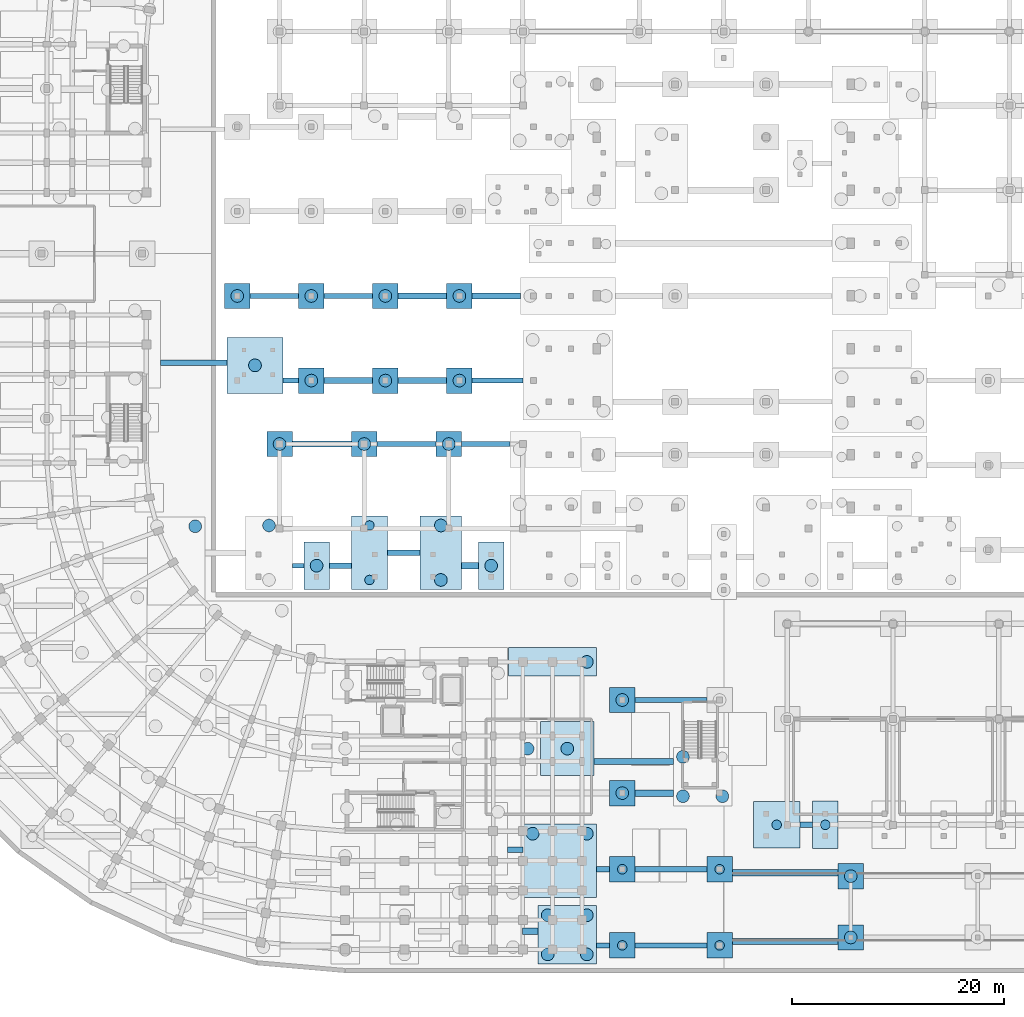
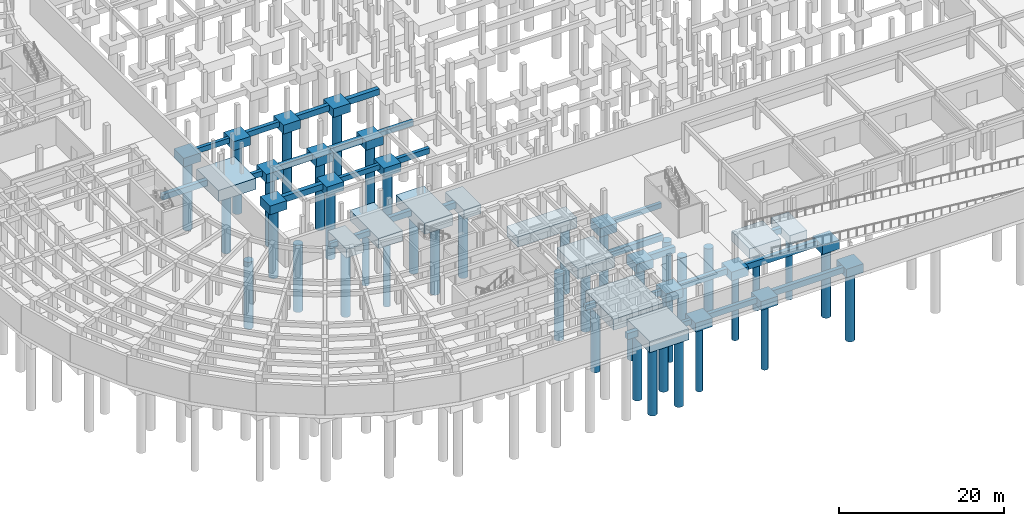
# One storey, part 3 of 53: 57 footings, 41 piles.
"""IFC4 building model written with IfcOpenShell, lengths in metres."""

from ifc_helpers import new_model, si_unit, direction, frame, origin, origin_2d, place, context, subcontext, project, spatial, rectangle, circle, extrude, material, material_profile, profile_set, type_object, element, save


model = new_model("IFC4")

# Units and contexts
model_context = context("Model", 3, precision=1e-05, world=origin(), true_north=direction((0.0, 1.0)))
body_context = subcontext(model_context, "Body", "Model", "MODEL_VIEW")
ifc_project = project(units=[si_unit("LENGTHUNIT", "METRE"), si_unit("AREAUNIT", "SQUARE_METRE"), si_unit("VOLUMEUNIT", "CUBIC_METRE"), si_unit("PLANEANGLEUNIT", "RADIAN"), si_unit("MASSUNIT", "GRAM", prefix="KILO")], contexts=[model_context])

# Site, building, storey
site_placement = place(None, origin())
site = spatial("IfcSite", under=ifc_project, at=site_placement, CompositionType="ELEMENT")
building_placement = place(site_placement, origin())
building = spatial("IfcBuilding", under=site, at=building_placement, Name="Kiranvali Square Residences", CompositionType="ELEMENT")
storey_placement = place(building_placement, frame((0.0, 0.0, -4.5)))
storey = spatial("IfcBuildingStorey", under=building, at=storey_placement, Name="B1", CompositionType="ELEMENT", Elevation=-4.5)

# Footings
ifc_material = material(Name="Concrete M40 (40 MPa)", Category="concrete")
footing_type_1 = type_object("IfcFootingType", Name="FTG-PILE_CAP-240x240x130", PredefinedType="PILE_CAP", material=ifc_material)
for number, where, z_axis, x_axis, name in (
    (1, (74.39990234375, 2.60009765625, -1.7998046875), (0.0, 0.0, 1.0), (1.0, 0.0, 0.0), "B1 pile cap 005"),
    (2, (83.60009765625, 2.60009765625, -1.7998046875), (0.0, 0.0, 1.0), (1.0, 0.0, 0.0), "B1 pile cap 006"),
    (3, (96.0, 3.35009765625, -1.7998046875), (0.0, 0.0, 1.0), (1.0, 0.0, 0.0), "B1 pile cap 008"),
    (4, (96.0, 9.14990234375, -1.7998046875), (0.0, 0.0, 1.0), (1.0, 0.0, 0.0), "B1 pile cap 017"),
    (5, (74.39990234375, 9.800048828125, -1.7998046875), (0.0, 0.0, 1.0), (1.0, 0.0, 0.0), "B1 pile cap 020"),
    (6, (83.60009765625, 9.800048828125, -1.7998046875), (0.0, 0.0, 1.0), (1.0, 0.0, 0.0), "B1 pile cap 021"),
    (7, (74.39990234375, 17.0, -1.7998046875), (0.0, 0.0, 1.0), (1.0, 0.0, 0.0), "B1 pile cap 041"),
    (8, (74.39990234375, 25.800048828125, -1.7998046875), (0.0, 0.0, 1.0), (1.0, 0.0, 0.0), "B1 pile cap 062"),
    (9, (42.0, 50.0, -1.7998046875), (0.0, 0.0, 1.0), (1.0, 0.0, 0.0), "B1 pile cap 122"),
    (10, (50.0, 50.0, -1.7998046875), (0.0, 0.0, 1.0), (1.0, 0.0, 0.0), "B1 pile cap 123"),
    (11, (58.0, 50.0, -1.7998046875), (0.0, 0.0, 1.0), (1.0, 0.0, 0.0), "B1 pile cap 124"),
    (12, (45.0, 56.0, -1.7998046875), (0.0, 0.0, 1.0), (1.0, 0.0, 0.0), "B1 pile cap 142"),
    (13, (52.0, 56.0, -1.7998046875), (0.0, 0.0, 1.0), (1.0, 0.0, 0.0), "B1 pile cap 143"),
    (14, (59.0, 56.0, -1.7998046875), (0.0, 0.0, 1.0), (1.0, 0.0, 0.0), "B1 pile cap 144"),
    (15, (38.0, 64.0, -1.7998046875), (0.0, 0.0, 1.0), (1.0, 0.0, 0.0), "B1 pile cap 155"),
    (16, (45.0, 64.0, -1.7998046875), (0.0, 0.0, 1.0), (1.0, 0.0, 0.0), "B1 pile cap 156"),
    (17, (52.0, 64.0, -1.7998046875), (0.0, 0.0, 1.0), (1.0, 0.0, 0.0), "B1 pile cap 157"),
    (18, (59.0, 64.0, -1.7998046875), (0.0, 0.0, 1.0), (1.0, 0.0, 0.0), "B1 pile cap 158"),
):
    element("IfcFooting", number, at=place(storey_placement, frame(where, z_axis=z_axis, x_axis=x_axis)), inside=storey, type_object=footing_type_1, Name=name, PredefinedType="PILE_CAP", context=body_context, shape_type="SweptSolid", body=[
        extrude(rectangle(XDim=2.39990234375, YDim=2.39990234375, at=origin_2d()), origin(), (0.0, 0.0, 1.0), 1.300048828125),
    ])
footing_type_2 = type_object("IfcFootingType", Name="FTG-PILE_CAP-440x440x150", PredefinedType="PILE_CAP", material=ifc_material)
footing_1_placement = place(storey_placement, frame((89.0, 14.0, -2.0), z_axis=(0.0, 0.0, 1.0), x_axis=(1.0, 0.0, 0.0)))
element("IfcFooting", 19, at=footing_1_placement, inside=storey, type_object=footing_type_2, Name="B1 pile cap 024", PredefinedType="PILE_CAP", context=body_context, shape_type="SweptSolid", body=[
    extrude(rectangle(XDim=4.39990234375, YDim=4.39990234375, at=origin_2d()), origin(), (0.0, 0.0, 1.0), 1.5),
])
footing_type_3 = type_object("IfcFootingType", Name="FTG-PILE_CAP-450x240x130", PredefinedType="PILE_CAP", material=ifc_material)
for number, where, z_axis, x_axis, name in (
    (20, (93.60009765625, 14.0, -1.7998046875), (0.0, 0.0, 1.0), (0.0, 1.0, 0.0), "B1 pile cap 025"),
    (21, (45.5, 38.5, -1.7998046875), (0.0, 0.0, 1.0), (0.0, 1.0, 0.0), "B1 pile cap 085"),
    (22, (62.0, 38.5, -1.7998046875), (0.0, 0.0, 1.0), (0.0, 1.0, 0.0), "B1 pile cap 088"),
):
    element("IfcFooting", number, at=place(storey_placement, frame(where, z_axis=z_axis, x_axis=x_axis)), inside=storey, type_object=footing_type_3, Name=name, PredefinedType="PILE_CAP", context=body_context, shape_type="SweptSolid", body=[
        extrude(rectangle(XDim=4.5, YDim=2.39990234375, at=origin_2d()), origin(), (0.0, 0.0, 1.0), 1.300048828125),
    ])
footing_type_4 = type_object("IfcFootingType", Name="FTG-PILE_CAP-510x510x165", PredefinedType="PILE_CAP", material=ifc_material)
footing_2_placement = place(storey_placement, frame((69.199951171875, 21.199951171875, -2.14990234375), z_axis=(0.0, 0.0, 1.0), x_axis=(1.0, 0.0, 0.0)))
element("IfcFooting", 23, at=footing_2_placement, inside=storey, type_object=footing_type_4, Name="B1 pile cap 048", PredefinedType="PILE_CAP", context=body_context, shape_type="SweptSolid", body=[
    extrude(rectangle(XDim=5.10009765625, YDim=5.10009765625, at=origin_2d()), origin(), (0.0, 0.0, 1.0), 1.64990234375),
])
footing_type_5 = type_object("IfcFootingType", Name="FTG-PILE_CAP-528x528x165", PredefinedType="PILE_CAP", material=ifc_material)
footing_3_placement = place(storey_placement, frame((39.675048828125, 57.43994140625, -2.14990234375), z_axis=(0.0, 0.0, 1.0), x_axis=(1.0, 0.0, 0.0)))
element("IfcFooting", 24, at=footing_3_placement, inside=storey, type_object=footing_type_5, Name="B1 pile cap 141", PredefinedType="PILE_CAP", context=body_context, shape_type="SweptSolid", body=[
    extrude(rectangle(XDim=5.280029296875, YDim=5.280029296875, at=origin_2d()), origin(), (0.0, 0.0, 1.0), 1.64990234375),
])
footing_type_6 = type_object("IfcFootingType", Name="FTG-PILE_CAP-550x550x165", PredefinedType="PILE_CAP", material=ifc_material)
footing_4_placement = place(storey_placement, frame((69.199951171875, 3.60009765625, -2.14990234375), z_axis=(0.0, 0.0, 1.0), x_axis=(1.0, 0.0, 0.0)))
element("IfcFooting", 25, at=footing_4_placement, inside=storey, type_object=footing_type_6, Name="B1 pile cap 004", PredefinedType="PILE_CAP", context=body_context, shape_type="SweptSolid", body=[
    extrude(rectangle(XDim=5.5, YDim=5.5, at=origin_2d()), origin(), (0.0, 0.0, 1.0), 1.64990234375),
])
footing_type_7 = type_object("IfcFootingType", Name="FTG-PILE_CAP-692x692x165", PredefinedType="PILE_CAP", material=ifc_material)
footing_5_placement = place(storey_placement, frame((68.489990234375, 10.60009765625, -2.14990234375), z_axis=(0.0, 0.0, 1.0), x_axis=(1.0, 0.0, 0.0)))
element("IfcFooting", 26, at=footing_5_placement, inside=storey, type_object=footing_type_7, Name="B1 pile cap 014", PredefinedType="PILE_CAP", context=body_context, shape_type="SweptSolid", body=[
    extrude(rectangle(XDim=6.919921875, YDim=6.919921875, at=origin_2d()), origin(), (0.0, 0.0, 1.0), 1.64990234375),
])
footing_type_8 = type_object("IfcFootingType", Name="FTG-PILE_CAP-695x340x150", PredefinedType="PILE_CAP", material=ifc_material)
footing_6_placement = place(storey_placement, frame((50.5, 39.72509765625, -2.0), z_axis=(0.0, 0.0, 1.0), x_axis=(0.0, 1.0, 0.0)))
element("IfcFooting", 27, at=footing_6_placement, inside=storey, type_object=footing_type_8, Name="B1 pile cap 086", PredefinedType="PILE_CAP", context=body_context, shape_type="SweptSolid", body=[
    extrude(rectangle(XDim=6.949951171875, YDim=3.39990234375, at=origin_2d()), origin(), (0.0, 0.0, 1.0), 1.5),
])
footing_type_9 = type_object("IfcFootingType", Name="FTG-PILE_CAP-695x390x165", PredefinedType="PILE_CAP", material=ifc_material)
footing_7_placement = place(storey_placement, frame((57.25, 39.72509765625, -2.14990234375), z_axis=(0.0, 0.0, 1.0), x_axis=(0.0, 1.0, 0.0)))
element("IfcFooting", 28, at=footing_7_placement, inside=storey, type_object=footing_type_9, Name="B1 pile cap 087", PredefinedType="PILE_CAP", context=body_context, shape_type="SweptSolid", body=[
    extrude(rectangle(XDim=6.949951171875, YDim=3.89990234375, at=origin_2d()), origin(), (0.0, 0.0, 1.0), 1.64990234375),
])
footing_type_10 = type_object("IfcFootingType", Name="FTG-PILE_CAP-830x270x150", PredefinedType="PILE_CAP", material=ifc_material)
footing_8_placement = place(storey_placement, frame((67.800048828125, 29.39990234375, -2.0), z_axis=(0.0, 0.0, 1.0), x_axis=(1.0, 0.0, 0.0)))
element("IfcFooting", 29, at=footing_8_placement, inside=storey, type_object=footing_type_10, Name="B1 pile cap 068", PredefinedType="PILE_CAP", context=body_context, shape_type="SweptSolid", body=[
    extrude(rectangle(XDim=8.300048828125, YDim=2.699951171875, at=origin_2d()), origin(), (0.0, 0.0, 1.0), 1.5),
])
ifc_material_profile_1 = material_profile(ifc_material, rectangle(XDim=0.449951171875, YDim=0.75, at=origin_2d()), Name="GB 450x750")
ifc_profile_set_1 = profile_set([ifc_material_profile_1], Name="Concrete M40 (40 MPa)")
footing_type_11 = type_object("IfcFootingType", Name="GB-M40-450x750", PredefinedType="FOOTING_BEAM", material=ifc_profile_set_1)
footing_9_placement = place(storey_placement, frame((71.949951171875, 2.60009765625, -0.875), z_axis=(1.0, 0.0, 0.0), x_axis=(0.0, 1.0, 0.0)))
element("IfcFooting", 30, at=footing_9_placement, inside=storey, type_object=footing_type_11, Name="Continuous foundation ground beam GB-004", PredefinedType="FOOTING_BEAM", context=body_context, shape_type="SweptSolid", body=[
    extrude(rectangle(XDim=0.449951171875, YDim=0.75, at=origin_2d()), origin(), (0.0, 0.0, 1.0), 1.25),
])
footing_10_placement = place(storey_placement, frame((75.60009765625, 25.800048828125, -0.875), z_axis=(1.0, 0.0, 0.0), x_axis=(0.0, 1.0, 0.0)))
element("IfcFooting", 31, at=footing_10_placement, inside=storey, type_object=footing_type_11, Name="Continuous foundation ground beam GB-052", PredefinedType="FOOTING_BEAM", context=body_context, shape_type="SweptSolid", body=[
    extrude(rectangle(XDim=0.449951171875, YDim=0.75, at=origin_2d()), origin(), (0.0, 0.0, 1.0), 6.7998046875),
])
footing_11_placement = place(storey_placement, frame((43.199951171875, 38.5, -0.875), z_axis=(1.0, 0.0, 0.0), x_axis=(0.0, 1.0, 0.0)))
element("IfcFooting", 32, at=footing_11_placement, inside=storey, type_object=footing_type_11, Name="Continuous foundation ground beam GB-068", PredefinedType="FOOTING_BEAM", context=body_context, shape_type="SweptSolid", body=[
    extrude(rectangle(XDim=0.449951171875, YDim=0.75, at=origin_2d()), origin(), (0.0, 0.0, 1.0), 1.10009765625),
])
footing_12_placement = place(storey_placement, frame((51.199951171875, 50.0, -0.875), z_axis=(1.0, 0.0, 0.0), x_axis=(0.0, 1.0, 0.0)))
element("IfcFooting", 33, at=footing_12_placement, inside=storey, type_object=footing_type_11, Name="Continuous foundation ground beam GB-096", PredefinedType="FOOTING_BEAM", context=body_context, shape_type="SweptSolid", body=[
    extrude(rectangle(XDim=0.449951171875, YDim=0.75, at=origin_2d()), origin(), (0.0, 0.0, 1.0), 5.60009765625),
])
footing_13_placement = place(storey_placement, frame((60.199951171875, 56.0, -0.875), z_axis=(1.0, 0.0, 0.0), x_axis=(0.0, 1.0, 0.0)))
element("IfcFooting", 34, at=footing_13_placement, inside=storey, type_object=footing_type_11, Name="Continuous foundation ground beam GB-112", PredefinedType="FOOTING_BEAM", context=body_context, shape_type="SweptSolid", body=[
    extrude(rectangle(XDim=0.449951171875, YDim=0.75, at=origin_2d()), origin(), (0.0, 0.0, 1.0), 4.824951171875),
])
footing_14_placement = place(storey_placement, frame((39.199951171875, 64.0, -0.875), z_axis=(1.0, 0.0, 0.0), x_axis=(0.0, 1.0, 0.0)))
element("IfcFooting", 35, at=footing_14_placement, inside=storey, type_object=footing_type_11, Name="Continuous foundation ground beam GB-120", PredefinedType="FOOTING_BEAM", context=body_context, shape_type="SweptSolid", body=[
    extrude(rectangle(XDim=0.449951171875, YDim=0.75, at=origin_2d()), origin(), (0.0, 0.0, 1.0), 4.60009765625),
])
ifc_material_profile_2 = material_profile(ifc_material, rectangle(XDim=0.5, YDim=0.800048828125, at=origin_2d()), Name="GB 500x800")
ifc_profile_set_2 = profile_set([ifc_material_profile_2], Name="Concrete M40 (40 MPa)")
footing_type_12 = type_object("IfcFootingType", Name="GB-M40-500x800", PredefinedType="FOOTING_BEAM", material=ifc_profile_set_2)
footing_15_placement = place(storey_placement, frame((75.60009765625, 2.60009765625, -0.89990234375), z_axis=(1.0, 0.0, 0.0), x_axis=(0.0, 1.0, 0.0)))
element("IfcFooting", 36, at=footing_15_placement, inside=storey, type_object=footing_type_12, Name="Continuous foundation ground beam GB-005", PredefinedType="FOOTING_BEAM", context=body_context, shape_type="SweptSolid", body=[
    extrude(rectangle(XDim=0.5, YDim=0.800048828125, at=origin_2d()), origin(), (0.0, 0.0, 1.0), 6.7998046875),
])
footing_16_placement = place(storey_placement, frame((71.949951171875, 9.800048828125, -0.89990234375), z_axis=(1.0, 0.0, 0.0), x_axis=(0.0, 1.0, 0.0)))
element("IfcFooting", 37, at=footing_16_placement, inside=storey, type_object=footing_type_12, Name="Continuous foundation ground beam GB-013", PredefinedType="FOOTING_BEAM", context=body_context, shape_type="SweptSolid", body=[
    extrude(rectangle(XDim=0.5, YDim=0.800048828125, at=origin_2d()), origin(), (0.0, 0.0, 1.0), 1.25),
])
footing_17_placement = place(storey_placement, frame((63.550048828125, 11.655029296875, -0.89990234375), z_axis=(1.0, 0.0, 0.0), x_axis=(0.0, 1.0, 0.0)))
element("IfcFooting", 38, at=footing_17_placement, inside=storey, type_object=footing_type_12, Name="Continuous foundation ground beam GB-021", PredefinedType="FOOTING_BEAM", context=body_context, shape_type="SweptSolid", body=[
    extrude(rectangle(XDim=0.5, YDim=0.800048828125, at=origin_2d()), origin(), (0.0, 0.0, 1.0), 1.47998046875),
])
footing_18_placement = place(storey_placement, frame((46.699951171875, 38.5, -0.89990234375), z_axis=(1.0, 0.0, 0.0), x_axis=(0.0, 1.0, 0.0)))
element("IfcFooting", 39, at=footing_18_placement, inside=storey, type_object=footing_type_12, Name="Continuous foundation ground beam GB-069", PredefinedType="FOOTING_BEAM", context=body_context, shape_type="SweptSolid", body=[
    extrude(rectangle(XDim=0.5, YDim=0.800048828125, at=origin_2d()), origin(), (0.0, 0.0, 1.0), 2.10009765625),
])
footing_19_placement = place(storey_placement, frame((59.199951171875, 50.0, -0.89990234375), z_axis=(1.0, 0.0, 0.0), x_axis=(0.0, 1.0, 0.0)))
element("IfcFooting", 40, at=footing_19_placement, inside=storey, type_object=footing_type_12, Name="Continuous foundation ground beam GB-097", PredefinedType="FOOTING_BEAM", context=body_context, shape_type="SweptSolid", body=[
    extrude(rectangle(XDim=0.5, YDim=0.800048828125, at=origin_2d()), origin(), (0.0, 0.0, 1.0), 4.60009765625),
])
footing_20_placement = place(storey_placement, frame((42.31494140625, 56.0, -0.89990234375), z_axis=(1.0, 0.0, 0.0), x_axis=(0.0, 1.0, 0.0)))
element("IfcFooting", 41, at=footing_20_placement, inside=storey, type_object=footing_type_12, Name="Continuous foundation ground beam GB-109", PredefinedType="FOOTING_BEAM", context=body_context, shape_type="SweptSolid", body=[
    extrude(rectangle(XDim=0.5, YDim=0.800048828125, at=origin_2d()), origin(), (0.0, 0.0, 1.0), 1.485107421875),
])
footing_21_placement = place(storey_placement, frame((46.199951171875, 64.0, -0.89990234375), z_axis=(1.0, 0.0, 0.0), x_axis=(0.0, 1.0, 0.0)))
element("IfcFooting", 42, at=footing_21_placement, inside=storey, type_object=footing_type_12, Name="Continuous foundation ground beam GB-121", PredefinedType="FOOTING_BEAM", context=body_context, shape_type="SweptSolid", body=[
    extrude(rectangle(XDim=0.5, YDim=0.800048828125, at=origin_2d()), origin(), (0.0, 0.0, 1.0), 4.60009765625),
])
ifc_material_profile_3 = material_profile(ifc_material, rectangle(XDim=0.550048828125, YDim=0.85009765625, at=origin_2d()), Name="GB 550x850")
ifc_profile_set_3 = profile_set([ifc_material_profile_3], Name="Concrete M40 (40 MPa)")
footing_type_13 = type_object("IfcFootingType", Name="GB-M40-550x850", PredefinedType="FOOTING_BEAM", material=ifc_profile_set_3)
footing_22_placement = place(storey_placement, frame((84.800048828125, 2.97509765625, -0.925048828125), z_axis=(1.0, 0.0, 0.0), x_axis=(0.0, 1.0, 0.0)))
element("IfcFooting", 43, at=footing_22_placement, inside=storey, type_object=footing_type_13, Name="Continuous foundation ground beam GB-006", PredefinedType="FOOTING_BEAM", context=body_context, shape_type="SweptSolid", body=[
    extrude(rectangle(XDim=0.550048828125, YDim=0.85009765625, at=origin_2d()), origin(), (0.0, 0.0, 1.0), 10.0),
])
footing_23_placement = place(storey_placement, frame((75.60009765625, 9.800048828125, -0.925048828125), z_axis=(1.0, 0.0, 0.0), x_axis=(0.0, 1.0, 0.0)))
element("IfcFooting", 44, at=footing_23_placement, inside=storey, type_object=footing_type_13, Name="Continuous foundation ground beam GB-018", PredefinedType="FOOTING_BEAM", context=body_context, shape_type="SweptSolid", body=[
    extrude(rectangle(XDim=0.550048828125, YDim=0.85009765625, at=origin_2d()), origin(), (0.0, 0.0, 1.0), 6.7998046875),
])
footing_24_placement = place(storey_placement, frame((91.199951171875, 14.0, -0.925048828125), z_axis=(1.0, 0.0, 0.0), x_axis=(0.0, 1.0, 0.0)))
element("IfcFooting", 45, at=footing_24_placement, inside=storey, type_object=footing_type_13, Name="Continuous foundation ground beam GB-022", PredefinedType="FOOTING_BEAM", context=body_context, shape_type="SweptSolid", body=[
    extrude(rectangle(XDim=0.550048828125, YDim=0.85009765625, at=origin_2d()), origin(), (0.0, 0.0, 1.0), 1.199951171875),
])
footing_25_placement = place(storey_placement, frame((52.199951171875, 39.72509765625, -0.925048828125), z_axis=(1.0, 0.0, 0.0), x_axis=(0.0, 1.0, 0.0)))
element("IfcFooting", 46, at=footing_25_placement, inside=storey, type_object=footing_type_13, Name="Continuous foundation ground beam GB-070", PredefinedType="FOOTING_BEAM", context=body_context, shape_type="SweptSolid", body=[
    extrude(rectangle(XDim=0.550048828125, YDim=0.85009765625, at=origin_2d()), origin(), (0.0, 0.0, 1.0), 3.10009765625),
])
footing_26_placement = place(storey_placement, frame((46.199951171875, 56.0, -0.925048828125), z_axis=(1.0, 0.0, 0.0), x_axis=(0.0, 1.0, 0.0)))
element("IfcFooting", 47, at=footing_26_placement, inside=storey, type_object=footing_type_13, Name="Continuous foundation ground beam GB-110", PredefinedType="FOOTING_BEAM", context=body_context, shape_type="SweptSolid", body=[
    extrude(rectangle(XDim=0.550048828125, YDim=0.85009765625, at=origin_2d()), origin(), (0.0, 0.0, 1.0), 4.60009765625),
])
footing_27_placement = place(storey_placement, frame((30.75, 57.677490234375, -0.925048828125), z_axis=(1.0, 0.0, 0.0), x_axis=(0.0, 1.0, 0.0)))
element("IfcFooting", 48, at=footing_27_placement, inside=storey, type_object=footing_type_13, Name="Continuous foundation ground beam GB-118", PredefinedType="FOOTING_BEAM", context=body_context, shape_type="SweptSolid", body=[
    extrude(rectangle(XDim=0.550048828125, YDim=0.85009765625, at=origin_2d()), origin(), (0.0, 0.0, 1.0), 6.284912109375),
])
footing_28_placement = place(storey_placement, frame((53.199951171875, 64.0, -0.925048828125), z_axis=(1.0, 0.0, 0.0), x_axis=(0.0, 1.0, 0.0)))
element("IfcFooting", 49, at=footing_28_placement, inside=storey, type_object=footing_type_13, Name="Continuous foundation ground beam GB-122", PredefinedType="FOOTING_BEAM", context=body_context, shape_type="SweptSolid", body=[
    extrude(rectangle(XDim=0.550048828125, YDim=0.85009765625, at=origin_2d()), origin(), (0.0, 0.0, 1.0), 4.60009765625),
])
ifc_material_profile_4 = material_profile(ifc_material, rectangle(XDim=0.60009765625, YDim=0.89990234375, at=origin_2d()), Name="GB 600x900")
ifc_profile_set_4 = profile_set([ifc_material_profile_4], Name="Concrete M40 (40 MPa)")
footing_type_14 = type_object("IfcFootingType", Name="GB-M40-600x900", PredefinedType="FOOTING_BEAM", material=ifc_profile_set_4)
footing_29_placement = place(storey_placement, frame((64.969970703125, 3.945068359375, -0.949951171875), z_axis=(1.0, 0.0, 0.0), x_axis=(0.0, 1.0, 0.0)))
element("IfcFooting", 50, at=footing_29_placement, inside=storey, type_object=footing_type_14, Name="Continuous foundation ground beam GB-003", PredefinedType="FOOTING_BEAM", context=body_context, shape_type="SweptSolid", body=[
    extrude(rectangle(XDim=0.60009765625, YDim=0.89990234375, at=origin_2d()), origin(), (0.0, 0.0, 1.0), 1.47998046875),
])
footing_30_placement = place(storey_placement, frame((84.800048828125, 9.47509765625, -0.949951171875), z_axis=(1.0, 0.0, 0.0), x_axis=(0.0, 1.0, 0.0)))
element("IfcFooting", 51, at=footing_30_placement, inside=storey, type_object=footing_type_14, Name="Continuous foundation ground beam GB-019", PredefinedType="FOOTING_BEAM", context=body_context, shape_type="SweptSolid", body=[
    extrude(rectangle(XDim=0.60009765625, YDim=0.89990234375, at=origin_2d()), origin(), (0.0, 0.0, 1.0), 10.0),
])
footing_31_placement = place(storey_placement, frame((75.60009765625, 17.0, -0.949951171875), z_axis=(1.0, 0.0, 0.0), x_axis=(0.0, 1.0, 0.0)))
element("IfcFooting", 52, at=footing_31_placement, inside=storey, type_object=footing_type_14, Name="Continuous foundation ground beam GB-035", PredefinedType="FOOTING_BEAM", context=body_context, shape_type="SweptSolid", body=[
    extrude(rectangle(XDim=0.60009765625, YDim=0.89990234375, at=origin_2d()), origin(), (0.0, 0.0, 1.0), 3.635009765625),
])
footing_32_placement = place(storey_placement, frame((71.75, 19.989990234375, -0.949951171875), z_axis=(1.0, 0.0, 0.0), x_axis=(0.0, 1.0, 0.0)))
element("IfcFooting", 53, at=footing_32_placement, inside=storey, type_object=footing_type_14, Name="Continuous foundation ground beam GB-039", PredefinedType="FOOTING_BEAM", context=body_context, shape_type="SweptSolid", body=[
    extrude(rectangle(XDim=0.60009765625, YDim=0.89990234375, at=origin_2d()), origin(), (0.0, 0.0, 1.0), 7.485107421875),
])
footing_33_placement = place(storey_placement, frame((59.199951171875, 38.5, -0.949951171875), z_axis=(1.0, 0.0, 0.0), x_axis=(0.0, 1.0, 0.0)))
element("IfcFooting", 54, at=footing_33_placement, inside=storey, type_object=footing_type_14, Name="Continuous foundation ground beam GB-071", PredefinedType="FOOTING_BEAM", context=body_context, shape_type="SweptSolid", body=[
    extrude(rectangle(XDim=0.60009765625, YDim=0.89990234375, at=origin_2d()), origin(), (0.0, 0.0, 1.0), 1.60009765625),
])
footing_34_placement = place(storey_placement, frame((43.199951171875, 50.0, -0.949951171875), z_axis=(1.0, 0.0, 0.0), x_axis=(0.0, 1.0, 0.0)))
element("IfcFooting", 55, at=footing_34_placement, inside=storey, type_object=footing_type_14, Name="Continuous foundation ground beam GB-095", PredefinedType="FOOTING_BEAM", context=body_context, shape_type="SweptSolid", body=[
    extrude(rectangle(XDim=0.60009765625, YDim=0.89990234375, at=origin_2d()), origin(), (0.0, 0.0, 1.0), 5.60009765625),
])
for number, where, z_axis, x_axis, name in (
    (56, (53.199951171875, 56.0, -0.949951171875), (1.0, 0.0, 0.0), (0.0, 1.0, 0.0), "Continuous foundation ground beam GB-111"),
    (57, (60.199951171875, 64.0, -0.949951171875), (1.0, 0.0, 0.0), (0.0, 1.0, 0.0), "Continuous foundation ground beam GB-123"),
):
    element("IfcFooting", number, at=place(storey_placement, frame(where, z_axis=z_axis, x_axis=x_axis)), inside=storey, type_object=footing_type_14, Name=name, PredefinedType="FOOTING_BEAM", context=body_context, shape_type="SweptSolid", body=[
        extrude(rectangle(XDim=0.60009765625, YDim=0.89990234375, at=origin_2d()), origin(), (0.0, 0.0, 1.0), 4.60009765625),
    ])

# Piles
ifc_material_profile_5 = material_profile(ifc_material, circle(Radius=0.60009765625, at=origin_2d()), Name="BORED PILE 1200")
ifc_profile_set_5 = profile_set([ifc_material_profile_5], Name="Concrete M40 (40 MPa)")
pile_type_1 = type_object("IfcPileType", Name="PILE-BORED-1200", PredefinedType="BORED", material=ifc_profile_set_5)
for number, where, z_axis, x_axis, name in (
    (58, (67.35009765625, 1.75, -2.050048828125), (0.0, 0.0, -1.0), (1.0, 0.0, 0.0), "Bored basalt-socketed pile P-0008"),
    (59, (67.35009765625, 5.449951171875, -2.050048828125), (0.0, 0.0, -1.0), (1.0, 0.0, 0.0), "Bored basalt-socketed pile P-0009"),
    (60, (71.050048828125, 1.75, -2.050048828125), (0.0, 0.0, -1.0), (1.0, 0.0, 0.0), "Bored basalt-socketed pile P-0010"),
    (61, (71.050048828125, 5.449951171875, -2.050048828125), (0.0, 0.0, -1.0), (1.0, 0.0, 0.0), "Bored basalt-socketed pile P-0011"),
):
    element("IfcPile", number, at=place(storey_placement, frame(where, z_axis=z_axis, x_axis=x_axis)), inside=storey, type_object=pile_type_1, Name=name, PredefinedType="BORED", context=body_context, shape_type="SweptSolid", body=[
        extrude(circle(Radius=0.60009765625, at=origin_2d()), origin(), (0.0, 0.0, 1.0), 9.949951171875),
    ])
pile_1_placement = place(storey_placement, frame((96.0, 3.35009765625, -1.699951171875), z_axis=(0.0, 0.0, -1.0), x_axis=(1.0, 0.0, 0.0)))
element("IfcPile", 62, at=pile_1_placement, inside=storey, type_object=pile_type_1, Name="Bored basalt-socketed pile P-0016", PredefinedType="BORED", context=body_context, shape_type="SweptSolid", body=[
    extrude(circle(Radius=0.60009765625, at=origin_2d()), origin(), (0.0, 0.0, 1.0), 10.300048828125),
])
for number, where, z_axis, x_axis, name in (
    (63, (65.929931640625, 13.159912109375, -2.050048828125), (0.0, 0.0, -1.0), (1.0, 0.0, 0.0), "Bored basalt-socketed pile P-0022"),
    (64, (71.050048828125, 13.159912109375, -2.050048828125), (0.0, 0.0, -1.0), (1.0, 0.0, 0.0), "Bored basalt-socketed pile P-0023"),
):
    element("IfcPile", number, at=place(storey_placement, frame(where, z_axis=z_axis, x_axis=x_axis)), inside=storey, type_object=pile_type_1, Name=name, PredefinedType="BORED", context=body_context, shape_type="SweptSolid", body=[
        extrude(circle(Radius=0.60009765625, at=origin_2d()), origin(), (0.0, 0.0, 1.0), 9.949951171875),
    ])
for number, where, z_axis, x_axis, name in (
    (65, (96.0, 9.14990234375, -1.699951171875), (0.0, 0.0, -1.0), (1.0, 0.0, 0.0), "Bored basalt-socketed pile P-0026"),
    (66, (74.39990234375, 17.0, -1.699951171875), (0.0, 0.0, -1.0), (1.0, 0.0, 0.0), "Bored basalt-socketed pile P-0055"),
):
    element("IfcPile", number, at=place(storey_placement, frame(where, z_axis=z_axis, x_axis=x_axis)), inside=storey, type_object=pile_type_1, Name=name, PredefinedType="BORED", context=body_context, shape_type="SweptSolid", body=[
        extrude(circle(Radius=0.60009765625, at=origin_2d()), origin(), (0.0, 0.0, 1.0), 10.300048828125),
    ])
for number, where, z_axis, x_axis, name in (
    (67, (80.135009765625, 16.699951171875, -2.050048828125), (0.0, 0.0, -1.0), (1.0, 0.0, 0.0), "Bored basalt-socketed pile P-0056"),
    (68, (80.135009765625, 20.429931640625, -2.050048828125), (0.0, 0.0, -1.0), (1.0, 0.0, 0.0), "Bored basalt-socketed pile P-0057"),
    (69, (83.864990234375, 16.699951171875, -2.050048828125), (0.0, 0.0, -1.0), (1.0, 0.0, 0.0), "Bored basalt-socketed pile P-0058"),
    (70, (65.449951171875, 21.199951171875, -2.050048828125), (0.0, 0.0, -1.0), (1.0, 0.0, 0.0), "Bored basalt-socketed pile P-0065"),
    (71, (69.199951171875, 21.199951171875, -2.050048828125), (0.0, 0.0, -1.0), (1.0, 0.0, 0.0), "Bored basalt-socketed pile P-0066"),
):
    element("IfcPile", number, at=place(storey_placement, frame(where, z_axis=z_axis, x_axis=x_axis)), inside=storey, type_object=pile_type_1, Name=name, PredefinedType="BORED", context=body_context, shape_type="SweptSolid", body=[
        extrude(circle(Radius=0.60009765625, at=origin_2d()), origin(), (0.0, 0.0, 1.0), 9.949951171875),
    ])
pile_2_placement = place(storey_placement, frame((74.39990234375, 25.800048828125, -1.699951171875), z_axis=(0.0, 0.0, -1.0), x_axis=(1.0, 0.0, 0.0)))
element("IfcPile", 72, at=pile_2_placement, inside=storey, type_object=pile_type_1, Name="Bored basalt-socketed pile P-0084", PredefinedType="BORED", context=body_context, shape_type="SweptSolid", body=[
    extrude(circle(Radius=0.60009765625, at=origin_2d()), origin(), (0.0, 0.0, 1.0), 10.300048828125),
])
pile_3_placement = place(storey_placement, frame((71.050048828125, 29.39990234375, -1.89990234375), z_axis=(0.0, 0.0, -1.0), x_axis=(1.0, 0.0, 0.0)))
element("IfcPile", 73, at=pile_3_placement, inside=storey, type_object=pile_type_1, Name="Bored basalt-socketed pile P-0092", PredefinedType="BORED", context=body_context, shape_type="SweptSolid", body=[
    extrude(circle(Radius=0.60009765625, at=origin_2d()), origin(), (0.0, 0.0, 1.0), 10.10009765625),
])
for number, where, z_axis, x_axis, name in (
    (74, (34.027099609375, 42.219970703125, -2.050048828125), (0.0, 0.0, -1.0), (1.0, 0.0, 0.0), "Bored basalt-socketed pile P-0111"),
    (75, (41.0, 42.300048828125, -2.050048828125), (0.0, 0.0, -1.0), (1.0, 0.0, 0.0), "Bored basalt-socketed pile P-0115"),
):
    element("IfcPile", number, at=place(storey_placement, frame(where, z_axis=z_axis, x_axis=x_axis)), inside=storey, type_object=pile_type_1, Name=name, PredefinedType="BORED", context=body_context, shape_type="SweptSolid", body=[
        extrude(circle(Radius=0.60009765625, at=origin_2d()), origin(), (0.0, 0.0, 1.0), 9.949951171875),
    ])
pile_4_placement = place(storey_placement, frame((45.5, 38.5, -1.699951171875), z_axis=(0.0, 0.0, -1.0), x_axis=(1.0, 0.0, 0.0)))
element("IfcPile", 76, at=pile_4_placement, inside=storey, type_object=pile_type_1, Name="Bored basalt-socketed pile P-0116", PredefinedType="BORED", context=body_context, shape_type="SweptSolid", body=[
    extrude(circle(Radius=0.60009765625, at=origin_2d()), origin(), (0.0, 0.0, 1.0), 10.300048828125),
])
for number, where, z_axis, x_axis, name in (
    (77, (57.25, 37.14990234375, -2.050048828125), (0.0, 0.0, -1.0), (1.0, 0.0, 0.0), "Bored basalt-socketed pile P-0119"),
    (78, (57.25, 42.300048828125, -2.050048828125), (0.0, 0.0, -1.0), (1.0, 0.0, 0.0), "Bored basalt-socketed pile P-0120"),
):
    element("IfcPile", number, at=place(storey_placement, frame(where, z_axis=z_axis, x_axis=x_axis)), inside=storey, type_object=pile_type_1, Name=name, PredefinedType="BORED", context=body_context, shape_type="SweptSolid", body=[
        extrude(circle(Radius=0.60009765625, at=origin_2d()), origin(), (0.0, 0.0, 1.0), 9.949951171875),
    ])
for number, where, z_axis, x_axis, name in (
    (79, (62.0, 38.5, -1.699951171875), (0.0, 0.0, -1.0), (1.0, 0.0, 0.0), "Bored basalt-socketed pile P-0121"),
    (80, (42.0, 50.0, -1.699951171875), (0.0, 0.0, -1.0), (1.0, 0.0, 0.0), "Bored basalt-socketed pile P-0166"),
    (81, (50.0, 50.0, -1.699951171875), (0.0, 0.0, -1.0), (1.0, 0.0, 0.0), "Bored basalt-socketed pile P-0167"),
    (82, (58.0, 50.0, -1.699951171875), (0.0, 0.0, -1.0), (1.0, 0.0, 0.0), "Bored basalt-socketed pile P-0168"),
):
    element("IfcPile", number, at=place(storey_placement, frame(where, z_axis=z_axis, x_axis=x_axis)), inside=storey, type_object=pile_type_1, Name=name, PredefinedType="BORED", context=body_context, shape_type="SweptSolid", body=[
        extrude(circle(Radius=0.60009765625, at=origin_2d()), origin(), (0.0, 0.0, 1.0), 10.300048828125),
    ])
pile_5_placement = place(storey_placement, frame((39.675048828125, 57.43994140625, -2.050048828125), z_axis=(0.0, 0.0, -1.0), x_axis=(1.0, 0.0, 0.0)))
element("IfcPile", 83, at=pile_5_placement, inside=storey, type_object=pile_type_1, Name="Bored basalt-socketed pile P-0195", PredefinedType="BORED", context=body_context, shape_type="SweptSolid", body=[
    extrude(circle(Radius=0.60009765625, at=origin_2d()), origin(), (0.0, 0.0, 1.0), 9.949951171875),
])
for number, where, z_axis, x_axis, name in (
    (84, (45.0, 56.0, -1.699951171875), (0.0, 0.0, -1.0), (1.0, 0.0, 0.0), "Bored basalt-socketed pile P-0196"),
    (85, (52.0, 56.0, -1.699951171875), (0.0, 0.0, -1.0), (1.0, 0.0, 0.0), "Bored basalt-socketed pile P-0197"),
    (86, (59.0, 56.0, -1.699951171875), (0.0, 0.0, -1.0), (1.0, 0.0, 0.0), "Bored basalt-socketed pile P-0198"),
    (87, (38.0, 64.0, -1.699951171875), (0.0, 0.0, -1.0), (1.0, 0.0, 0.0), "Bored basalt-socketed pile P-0215"),
    (88, (45.0, 64.0, -1.699951171875), (0.0, 0.0, -1.0), (1.0, 0.0, 0.0), "Bored basalt-socketed pile P-0216"),
    (89, (52.0, 64.0, -1.699951171875), (0.0, 0.0, -1.0), (1.0, 0.0, 0.0), "Bored basalt-socketed pile P-0217"),
    (90, (59.0, 64.0, -1.699951171875), (0.0, 0.0, -1.0), (1.0, 0.0, 0.0), "Bored basalt-socketed pile P-0218"),
):
    element("IfcPile", number, at=place(storey_placement, frame(where, z_axis=z_axis, x_axis=x_axis)), inside=storey, type_object=pile_type_1, Name=name, PredefinedType="BORED", context=body_context, shape_type="SweptSolid", body=[
        extrude(circle(Radius=0.60009765625, at=origin_2d()), origin(), (0.0, 0.0, 1.0), 10.300048828125),
    ])
ifc_material_profile_6 = material_profile(ifc_material, circle(Radius=0.449951171875, at=origin_2d()), Name="BORED PILE 900")
ifc_profile_set_6 = profile_set([ifc_material_profile_6], Name="Concrete M40 (40 MPa)")
pile_type_2 = type_object("IfcPileType", Name="PILE-BORED-900", PredefinedType="BORED", material=ifc_profile_set_6)
for number, where, z_axis, x_axis, name in (
    (91, (74.39990234375, 2.60009765625, -1.699951171875), (0.0, 0.0, -1.0), (1.0, 0.0, 0.0), "Bored basalt-socketed pile P-0012"),
    (92, (83.60009765625, 2.60009765625, -1.699951171875), (0.0, 0.0, -1.0), (1.0, 0.0, 0.0), "Bored basalt-socketed pile P-0013"),
    (93, (74.39990234375, 9.800048828125, -1.699951171875), (0.0, 0.0, -1.0), (1.0, 0.0, 0.0), "Bored basalt-socketed pile P-0029"),
    (94, (83.60009765625, 9.800048828125, -1.699951171875), (0.0, 0.0, -1.0), (1.0, 0.0, 0.0), "Bored basalt-socketed pile P-0030"),
):
    element("IfcPile", number, at=place(storey_placement, frame(where, z_axis=z_axis, x_axis=x_axis)), inside=storey, type_object=pile_type_2, Name=name, PredefinedType="BORED", context=body_context, shape_type="SweptSolid", body=[
        extrude(circle(Radius=0.449951171875, at=origin_2d()), origin(), (0.0, 0.0, 1.0), 9.800048828125),
    ])
pile_6_placement = place(storey_placement, frame((89.0, 14.0, -1.89990234375), z_axis=(0.0, 0.0, -1.0), x_axis=(1.0, 0.0, 0.0)))
element("IfcPile", 95, at=pile_6_placement, inside=storey, type_object=pile_type_2, Name="Bored basalt-socketed pile P-0035", PredefinedType="BORED", context=body_context, shape_type="SweptSolid", body=[
    extrude(circle(Radius=0.449951171875, at=origin_2d()), origin(), (0.0, 0.0, 1.0), 9.60009765625),
])
pile_7_placement = place(storey_placement, frame((93.60009765625, 14.0, -1.699951171875), z_axis=(0.0, 0.0, -1.0), x_axis=(1.0, 0.0, 0.0)))
element("IfcPile", 96, at=pile_7_placement, inside=storey, type_object=pile_type_2, Name="Bored basalt-socketed pile P-0036", PredefinedType="BORED", context=body_context, shape_type="SweptSolid", body=[
    extrude(circle(Radius=0.449951171875, at=origin_2d()), origin(), (0.0, 0.0, 1.0), 9.800048828125),
])
for number, where, z_axis, x_axis, name in (
    (97, (50.5, 37.14990234375, -1.89990234375), (0.0, 0.0, -1.0), (1.0, 0.0, 0.0), "Bored basalt-socketed pile P-0117"),
    (98, (50.5, 42.300048828125, -1.89990234375), (0.0, 0.0, -1.0), (1.0, 0.0, 0.0), "Bored basalt-socketed pile P-0118"),
):
    element("IfcPile", number, at=place(storey_placement, frame(where, z_axis=z_axis, x_axis=x_axis)), inside=storey, type_object=pile_type_2, Name=name, PredefinedType="BORED", context=body_context, shape_type="SweptSolid", body=[
        extrude(circle(Radius=0.449951171875, at=origin_2d()), origin(), (0.0, 0.0, 1.0), 9.60009765625),
    ])

save(model, "model.ifc")
